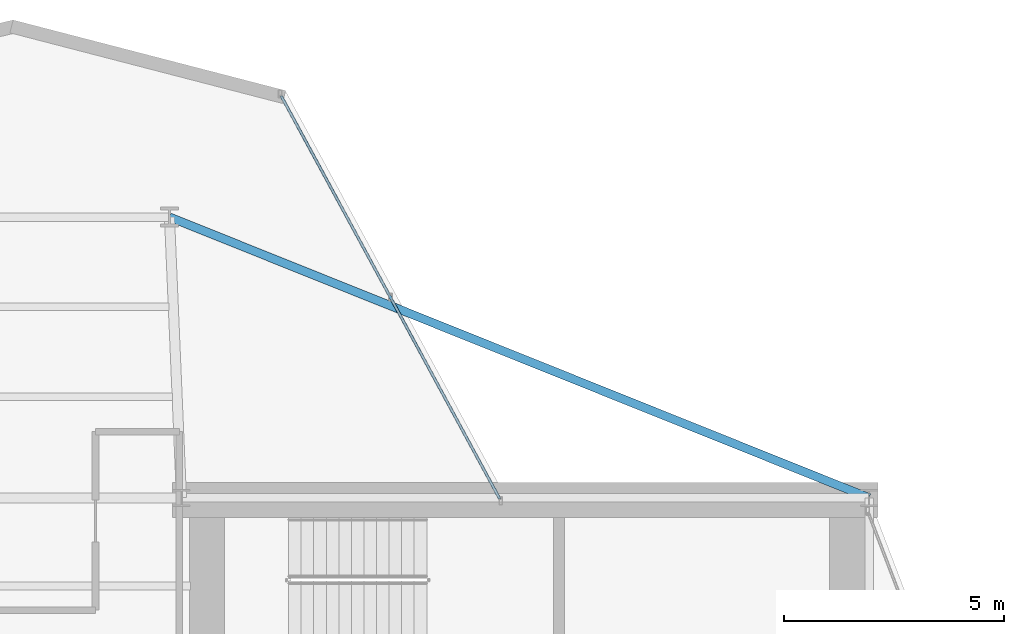
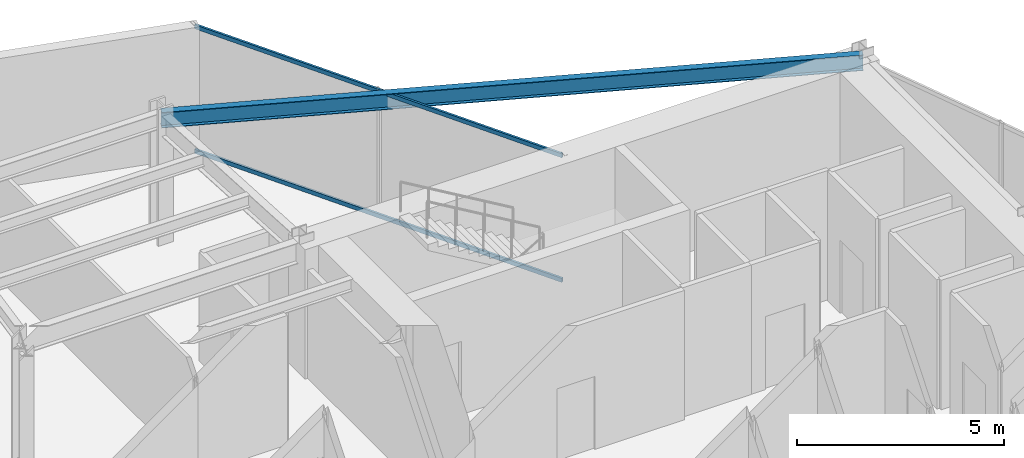
# One storey, part 17 of 26: 2 members, 1 beam, 1 element without a shape of its own.
"""IFC4 building model written with IfcOpenShell, lengths in metres."""

from ifc_helpers import new_model, si_unit, direction, frame, origin, origin_2d, place, context, subcontext, project, spatial, hollow_rectangle, i_section, extrude, material, layer, layer_set, material_profile, profile_set, type_object, element, aggregate, save


model = new_model("IFC4")

# Units and contexts
model_context = context("Model", 3, precision=1e-05, world=origin(), true_north=direction((0.0, 1.0)))
body_context = subcontext(model_context, "Body", "Model", "MODEL_VIEW")
ifc_project = project(units=[si_unit("LENGTHUNIT", "METRE"), si_unit("AREAUNIT", "SQUARE_METRE"), si_unit("VOLUMEUNIT", "CUBIC_METRE"), si_unit("PLANEANGLEUNIT", "RADIAN"), si_unit("MASSUNIT", "GRAM", prefix="KILO")], contexts=[model_context])

# Site, building, storey
site_placement = place(None, origin())
site = spatial("IfcSite", under=ifc_project, at=site_placement, CompositionType="ELEMENT")
building_placement = place(site_placement, origin())
building = spatial("IfcBuilding", under=site, at=building_placement, Name="Veymaron Broadcast Tower", CompositionType="ELEMENT")
storey_placement = place(building_placement, frame((0.0, 0.0, 153.300048828125)))
storey = spatial("IfcBuildingStorey", under=building, at=storey_placement, Name="L35", CompositionType="ELEMENT", Elevation=153.300048828125)

# Beam
ifc_material_1 = material(Name="Structural steel ASTM A992 Gr 50", Category="steel")
ifc_material_profile_1 = material_profile(ifc_material_1, i_section(OverallWidth=0.19091796875, OverallDepth=0.4599609375, WebThickness=0.010009765625, FlangeThickness=0.01611328125, at=origin_2d()), Name="W460X82")
ifc_profile_set_1 = profile_set([ifc_material_profile_1], Name="Structural steel ASTM A992 Gr 50")
beam_type = type_object("IfcBeamType", Name="BM-SP1", PredefinedType="SPANDREL", material=ifc_profile_set_1)
beam_placement = place(storey_placement, frame((54.60009765625, 32.0, 3.579833984375), z_axis=(-0.928091240727, 0.372352855348, 0.0), x_axis=(-0.372352855348, -0.928091240727, 0.0)))
element("IfcBeam", 1, at=beam_placement, inside=storey, type_object=beam_type, Name="L35 primary structural floor girder", PredefinedType="SPANDREL", context=body_context, shape_type="SweptSolid", body=[
    extrude(i_section(OverallWidth=0.19091796875, OverallDepth=0.4599609375, WebThickness=0.010009765625, FlangeThickness=0.01611328125, at=origin_2d()), origin(), (0.0, 0.0, 1.0), 17.101806640625),
])

# Curtain wall, members
ifc_material_2 = material(Name="Anodised aluminium AA 6063-T6 and laminated low-E dark glass", Category="aluminium")
ifc_layer = layer(ifc_material_2, 0.179931640625)
ifc_layer_set = layer_set([ifc_layer], Name="Anodised aluminium AA 6063-T6 and laminated low-E dark glass")
curtain_wall_type = type_object("IfcCurtainWallType", Name="CW-SYS-03", PredefinedType="NOTDEFINED", material=ifc_layer_set)
curtain_wall_placement = place(storey_placement, origin())
curtain_wall = element("IfcCurtainWall", 2, at=curtain_wall_placement, inside=storey, type_object=curtain_wall_type, Name="L35 dark-glass curtain wall CW-L35-E5-1", PredefinedType="NOTDEFINED")
ifc_material_3 = material(Name="Anodised aluminium AA 6063-T6", Category="aluminium")
ifc_material_profile_2 = material_profile(ifc_material_3, hollow_rectangle(XDim=0.06005859375, YDim=0.1201171875, WallThickness=0.00390625, at=origin_2d()), Name="AL120X60X4")
ifc_profile_set_2 = profile_set([ifc_material_profile_2], Name="Anodised aluminium AA 6063-T6")
member_type = type_object("IfcMemberType", Name="CW-TRN-02", PredefinedType="USERDEFINED", material=ifc_profile_set_2)
member_1_placement = place(storey_placement, frame((46.218994140625, 31.97705078125, 0.070068359375), z_axis=(-0.47682238993, 0.878999663516, 0.0), x_axis=(-0.878999663516, -0.47682238993, 0.0)))
member_1 = element("IfcMember", 3, at=member_1_placement, type_object=member_type, Name="CW-L35-E5-1 transom B", ObjectType="TRANSOM", PredefinedType="USERDEFINED", context=body_context, shape_type="SweptSolid", body=[
    extrude(hollow_rectangle(XDim=0.06005859375, YDim=0.1201171875, WallThickness=0.00390625, at=origin_2d()), origin(), (0.0, 0.0, 1.0), 10.3974609375),
])
member_2_placement = place(storey_placement, frame((46.218994140625, 31.97705078125, 3.739990234375), z_axis=(-0.47682238993, 0.878999663516, 0.0), x_axis=(-0.878999663516, -0.47682238993, 0.0)))
member_2 = element("IfcMember", 4, at=member_2_placement, type_object=member_type, Name="CW-L35-E5-1 transom T", ObjectType="TRANSOM", PredefinedType="USERDEFINED", context=body_context, shape_type="SweptSolid", body=[
    extrude(hollow_rectangle(XDim=0.06005859375, YDim=0.1201171875, WallThickness=0.00390625, at=origin_2d()), origin(), (0.0, 0.0, 1.0), 10.3974609375),
])
aggregate(curtain_wall, [member_1, member_2])

save(model, "model.ifc")
